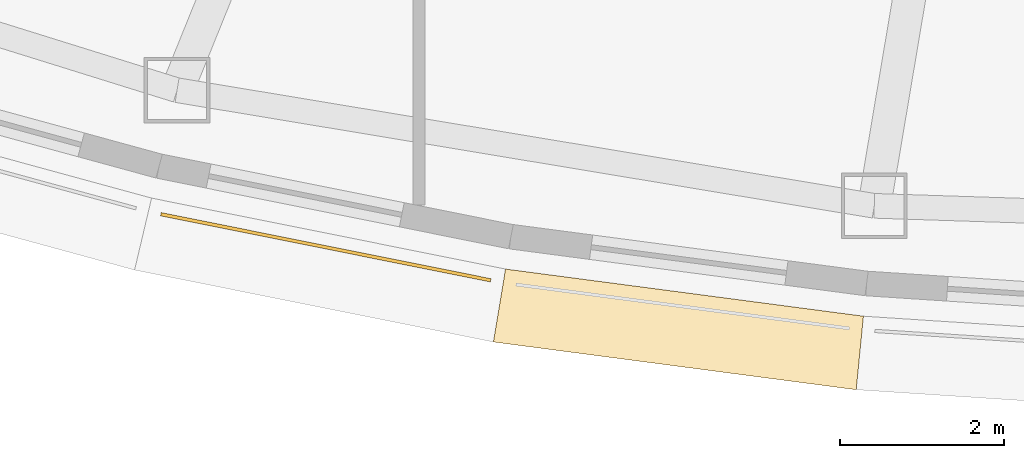
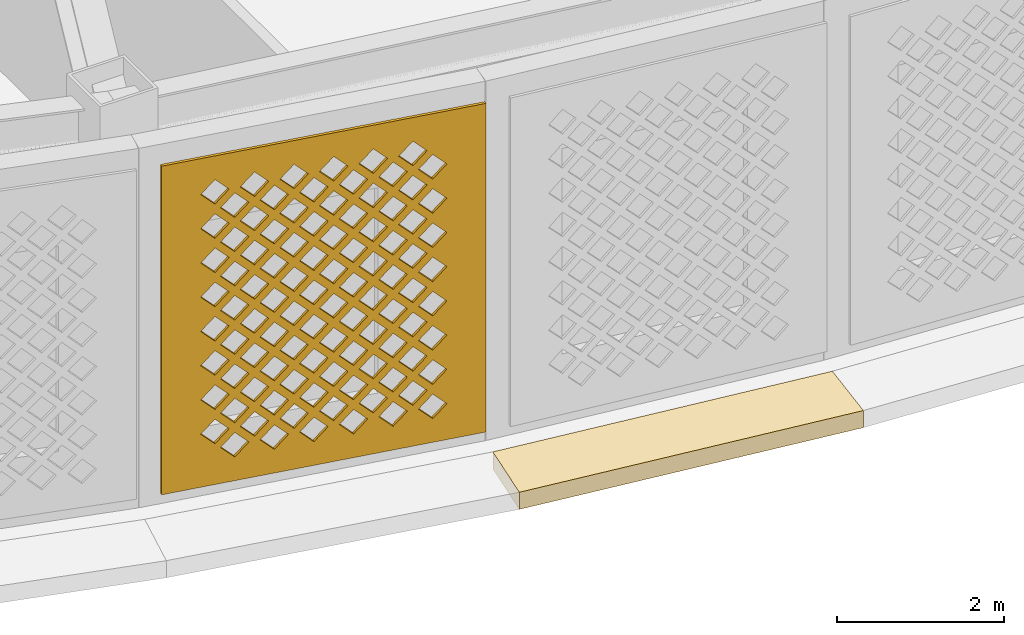
# One storey, part 49 of 69: 2 coverings.
"""IFC4 building model written with IfcOpenShell, lengths in metres."""

from ifc_helpers import new_model, si_unit, direction, frame, origin, place, context, subcontext, project, spatial, polyline, outline, extrude, material, layer, layer_set, type_object, element, save


model = new_model("IFC4")

# Units and contexts
model_context = context("Model", 3, precision=1e-05, world=origin(), true_north=direction((0.0, 1.0)))
body_context = subcontext(model_context, "Body", "Model", "MODEL_VIEW")
ifc_project = project(units=[si_unit("LENGTHUNIT", "METRE"), si_unit("AREAUNIT", "SQUARE_METRE"), si_unit("VOLUMEUNIT", "CUBIC_METRE"), si_unit("PLANEANGLEUNIT", "RADIAN"), si_unit("MASSUNIT", "GRAM", prefix="KILO")], contexts=[model_context])

# Site, building, storey
site_placement = place(None, origin())
site = spatial("IfcSite", under=ifc_project, at=site_placement, CompositionType="ELEMENT")
building_placement = place(site_placement, origin())
building = spatial("IfcBuilding", under=site, at=building_placement, Name="Noorbagh Ring Tower", CompositionType="ELEMENT")
storey_placement = place(building_placement, frame((0.0, 0.0, 19.5)))
storey = spatial("IfcBuildingStorey", under=building, at=storey_placement, Name="L03", CompositionType="ELEMENT", Elevation=19.5)

# Coverings
ifc_material_1 = material(Name="Red sandstone eave", Category="masonry")
covering_type_1 = type_object("IfcCoveringType", Name="STY-CHHAJJA", PredefinedType="USERDEFINED", material=ifc_material_1)
covering_1_placement = place(storey_placement, frame((0.0, 0.0, -0.25)))
element("IfcCovering", 1, at=covering_1_placement, inside=storey, type_object=covering_type_1, Name="Chhajja eave", ObjectType="CHHAJJA", PredefinedType="USERDEFINED", context=body_context, shape_type="SweptSolid", body=[
    extrude(outline(polyline([(-10.945556640625, -39.103759765625), (-6.586181640625, -39.677978515625), (-6.67431640625, -40.573974609375), (-11.093017578125, -39.9921875), (-10.945556640625, -39.103759765625)])), origin(), (0.0, 0.0, 1.0), 0.25),
])
ifc_material_2 = material(Name="Red sandstone jali", Category="masonry")
ifc_layer = layer(ifc_material_2, 0.0400390625)
ifc_layer_set = layer_set([ifc_layer], Name="Red sandstone jali")
covering_type_2 = type_object("IfcCoveringType", Name="STY-JALI", PredefinedType="USERDEFINED", material=ifc_layer_set)
covering_2_placement = place(storey_placement, frame((-15.147216796875, -38.455322265625, 0.449951171875), z_axis=(-0.196528665711, -0.980498079322, 0.0), x_axis=(0.980498079322, -0.196528665711, 0.0)))
element("IfcCovering", 2, at=covering_2_placement, inside=storey, type_object=covering_type_2, Name="Jali screen", ObjectType="SCREEN", PredefinedType="USERDEFINED", context=body_context, shape_type="SweptSolid", body=[
    extrude(outline(polyline([(0.0, 0.0), (4.096923828125, 0.0), (4.096923828125, 4.800048828125), (0.0, 4.800048828125), (0.0, 0.0)]), holes=[polyline([(0.743408203125, 0.52490234375), (0.923583984375, 0.344970703125), (1.103515625, 0.52490234375), (0.923583984375, 0.705078125), (0.743408203125, 0.52490234375)]), polyline([(1.243408203125, 0.52490234375), (1.423583984375, 0.344970703125), (1.603515625, 0.52490234375), (1.423583984375, 0.705078125), (1.243408203125, 0.52490234375)]), polyline([(1.743408203125, 0.52490234375), (1.923583984375, 0.344970703125), (2.103515625, 0.52490234375), (1.923583984375, 0.705078125), (1.743408203125, 0.52490234375)]), polyline([(2.243408203125, 0.52490234375), (2.423583984375, 0.344970703125), (2.603515625, 0.52490234375), (2.423583984375, 0.705078125), (2.243408203125, 0.52490234375)]), polyline([(2.743408203125, 0.52490234375), (2.923583984375, 0.344970703125), (3.103515625, 0.52490234375), (2.923583984375, 0.705078125), (2.743408203125, 0.52490234375)]), polyline([(3.243408203125, 0.52490234375), (3.423583984375, 0.344970703125), (3.603515625, 0.52490234375), (3.423583984375, 0.705078125), (3.243408203125, 0.52490234375)]), polyline([(0.493408203125, 0.77490234375), (0.673583984375, 0.594970703125), (0.853515625, 0.77490234375), (0.673583984375, 0.955078125), (0.493408203125, 0.77490234375)]), polyline([(0.993408203125, 0.77490234375), (1.173583984375, 0.594970703125), (1.353515625, 0.77490234375), (1.173583984375, 0.955078125), (0.993408203125, 0.77490234375)]), polyline([(1.493408203125, 0.77490234375), (1.673583984375, 0.594970703125), (1.853515625, 0.77490234375), (1.673583984375, 0.955078125), (1.493408203125, 0.77490234375)]), polyline([(1.993408203125, 0.77490234375), (2.173583984375, 0.594970703125), (2.353515625, 0.77490234375), (2.173583984375, 0.955078125), (1.993408203125, 0.77490234375)]), polyline([(2.493408203125, 0.77490234375), (2.673583984375, 0.594970703125), (2.853515625, 0.77490234375), (2.673583984375, 0.955078125), (2.493408203125, 0.77490234375)]), polyline([(2.993408203125, 0.77490234375), (3.173583984375, 0.594970703125), (3.353515625, 0.77490234375), (3.173583984375, 0.955078125), (2.993408203125, 0.77490234375)]), polyline([(0.743408203125, 1.02490234375), (0.923583984375, 0.844970703125), (1.103515625, 1.02490234375), (0.923583984375, 1.205078125), (0.743408203125, 1.02490234375)]), polyline([(1.243408203125, 1.02490234375), (1.423583984375, 0.844970703125), (1.603515625, 1.02490234375), (1.423583984375, 1.205078125), (1.243408203125, 1.02490234375)]), polyline([(1.743408203125, 1.02490234375), (1.923583984375, 0.844970703125), (2.103515625, 1.02490234375), (1.923583984375, 1.205078125), (1.743408203125, 1.02490234375)]), polyline([(2.243408203125, 1.02490234375), (2.423583984375, 0.844970703125), (2.603515625, 1.02490234375), (2.423583984375, 1.205078125), (2.243408203125, 1.02490234375)]), polyline([(2.743408203125, 1.02490234375), (2.923583984375, 0.844970703125), (3.103515625, 1.02490234375), (2.923583984375, 1.205078125), (2.743408203125, 1.02490234375)]), polyline([(3.243408203125, 1.02490234375), (3.423583984375, 0.844970703125), (3.603515625, 1.02490234375), (3.423583984375, 1.205078125), (3.243408203125, 1.02490234375)]), polyline([(0.493408203125, 1.27490234375), (0.673583984375, 1.094970703125), (0.853515625, 1.27490234375), (0.673583984375, 1.455078125), (0.493408203125, 1.27490234375)]), polyline([(0.993408203125, 1.27490234375), (1.173583984375, 1.094970703125), (1.353515625, 1.27490234375), (1.173583984375, 1.455078125), (0.993408203125, 1.27490234375)]), polyline([(1.493408203125, 1.27490234375), (1.673583984375, 1.094970703125), (1.853515625, 1.27490234375), (1.673583984375, 1.455078125), (1.493408203125, 1.27490234375)]), polyline([(1.993408203125, 1.27490234375), (2.173583984375, 1.094970703125), (2.353515625, 1.27490234375), (2.173583984375, 1.455078125), (1.993408203125, 1.27490234375)]), polyline([(2.493408203125, 1.27490234375), (2.673583984375, 1.094970703125), (2.853515625, 1.27490234375), (2.673583984375, 1.455078125), (2.493408203125, 1.27490234375)]), polyline([(2.993408203125, 1.27490234375), (3.173583984375, 1.094970703125), (3.353515625, 1.27490234375), (3.173583984375, 1.455078125), (2.993408203125, 1.27490234375)]), polyline([(0.743408203125, 1.52490234375), (0.923583984375, 1.344970703125), (1.103515625, 1.52490234375), (0.923583984375, 1.705078125), (0.743408203125, 1.52490234375)]), polyline([(1.243408203125, 1.52490234375), (1.423583984375, 1.344970703125), (1.603515625, 1.52490234375), (1.423583984375, 1.705078125), (1.243408203125, 1.52490234375)]), polyline([(1.743408203125, 1.52490234375), (1.923583984375, 1.344970703125), (2.103515625, 1.52490234375), (1.923583984375, 1.705078125), (1.743408203125, 1.52490234375)]), polyline([(2.243408203125, 1.52490234375), (2.423583984375, 1.344970703125), (2.603515625, 1.52490234375), (2.423583984375, 1.705078125), (2.243408203125, 1.52490234375)]), polyline([(2.743408203125, 1.52490234375), (2.923583984375, 1.344970703125), (3.103515625, 1.52490234375), (2.923583984375, 1.705078125), (2.743408203125, 1.52490234375)]), polyline([(3.243408203125, 1.52490234375), (3.423583984375, 1.344970703125), (3.603515625, 1.52490234375), (3.423583984375, 1.705078125), (3.243408203125, 1.52490234375)]), polyline([(0.493408203125, 1.77490234375), (0.673583984375, 1.594970703125), (0.853515625, 1.77490234375), (0.673583984375, 1.955078125), (0.493408203125, 1.77490234375)]), polyline([(0.993408203125, 1.77490234375), (1.173583984375, 1.594970703125), (1.353515625, 1.77490234375), (1.173583984375, 1.955078125), (0.993408203125, 1.77490234375)]), polyline([(1.493408203125, 1.77490234375), (1.673583984375, 1.594970703125), (1.853515625, 1.77490234375), (1.673583984375, 1.955078125), (1.493408203125, 1.77490234375)]), polyline([(1.993408203125, 1.77490234375), (2.173583984375, 1.594970703125), (2.353515625, 1.77490234375), (2.173583984375, 1.955078125), (1.993408203125, 1.77490234375)]), polyline([(2.493408203125, 1.77490234375), (2.673583984375, 1.594970703125), (2.853515625, 1.77490234375), (2.673583984375, 1.955078125), (2.493408203125, 1.77490234375)]), polyline([(2.993408203125, 1.77490234375), (3.173583984375, 1.594970703125), (3.353515625, 1.77490234375), (3.173583984375, 1.955078125), (2.993408203125, 1.77490234375)]), polyline([(0.743408203125, 2.02490234375), (0.923583984375, 1.844970703125), (1.103515625, 2.02490234375), (0.923583984375, 2.205078125), (0.743408203125, 2.02490234375)]), polyline([(1.243408203125, 2.02490234375), (1.423583984375, 1.844970703125), (1.603515625, 2.02490234375), (1.423583984375, 2.205078125), (1.243408203125, 2.02490234375)]), polyline([(1.743408203125, 2.02490234375), (1.923583984375, 1.844970703125), (2.103515625, 2.02490234375), (1.923583984375, 2.205078125), (1.743408203125, 2.02490234375)]), polyline([(2.243408203125, 2.02490234375), (2.423583984375, 1.844970703125), (2.603515625, 2.02490234375), (2.423583984375, 2.205078125), (2.243408203125, 2.02490234375)]), polyline([(2.743408203125, 2.02490234375), (2.923583984375, 1.844970703125), (3.103515625, 2.02490234375), (2.923583984375, 2.205078125), (2.743408203125, 2.02490234375)]), polyline([(3.243408203125, 2.02490234375), (3.423583984375, 1.844970703125), (3.603515625, 2.02490234375), (3.423583984375, 2.205078125), (3.243408203125, 2.02490234375)]), polyline([(0.493408203125, 2.27490234375), (0.673583984375, 2.094970703125), (0.853515625, 2.27490234375), (0.673583984375, 2.455078125), (0.493408203125, 2.27490234375)]), polyline([(0.993408203125, 2.27490234375), (1.173583984375, 2.094970703125), (1.353515625, 2.27490234375), (1.173583984375, 2.455078125), (0.993408203125, 2.27490234375)]), polyline([(1.493408203125, 2.27490234375), (1.673583984375, 2.094970703125), (1.853515625, 2.27490234375), (1.673583984375, 2.455078125), (1.493408203125, 2.27490234375)]), polyline([(1.993408203125, 2.27490234375), (2.173583984375, 2.094970703125), (2.353515625, 2.27490234375), (2.173583984375, 2.455078125), (1.993408203125, 2.27490234375)]), polyline([(2.493408203125, 2.27490234375), (2.673583984375, 2.094970703125), (2.853515625, 2.27490234375), (2.673583984375, 2.455078125), (2.493408203125, 2.27490234375)]), polyline([(2.993408203125, 2.27490234375), (3.173583984375, 2.094970703125), (3.353515625, 2.27490234375), (3.173583984375, 2.455078125), (2.993408203125, 2.27490234375)]), polyline([(0.743408203125, 2.52490234375), (0.923583984375, 2.344970703125), (1.103515625, 2.52490234375), (0.923583984375, 2.705078125), (0.743408203125, 2.52490234375)]), polyline([(1.243408203125, 2.52490234375), (1.423583984375, 2.344970703125), (1.603515625, 2.52490234375), (1.423583984375, 2.705078125), (1.243408203125, 2.52490234375)]), polyline([(1.743408203125, 2.52490234375), (1.923583984375, 2.344970703125), (2.103515625, 2.52490234375), (1.923583984375, 2.705078125), (1.743408203125, 2.52490234375)]), polyline([(2.243408203125, 2.52490234375), (2.423583984375, 2.344970703125), (2.603515625, 2.52490234375), (2.423583984375, 2.705078125), (2.243408203125, 2.52490234375)]), polyline([(2.743408203125, 2.52490234375), (2.923583984375, 2.344970703125), (3.103515625, 2.52490234375), (2.923583984375, 2.705078125), (2.743408203125, 2.52490234375)]), polyline([(3.243408203125, 2.52490234375), (3.423583984375, 2.344970703125), (3.603515625, 2.52490234375), (3.423583984375, 2.705078125), (3.243408203125, 2.52490234375)]), polyline([(0.493408203125, 2.77490234375), (0.673583984375, 2.594970703125), (0.853515625, 2.77490234375), (0.673583984375, 2.955078125), (0.493408203125, 2.77490234375)]), polyline([(0.993408203125, 2.77490234375), (1.173583984375, 2.594970703125), (1.353515625, 2.77490234375), (1.173583984375, 2.955078125), (0.993408203125, 2.77490234375)]), polyline([(1.493408203125, 2.77490234375), (1.673583984375, 2.594970703125), (1.853515625, 2.77490234375), (1.673583984375, 2.955078125), (1.493408203125, 2.77490234375)]), polyline([(1.993408203125, 2.77490234375), (2.173583984375, 2.594970703125), (2.353515625, 2.77490234375), (2.173583984375, 2.955078125), (1.993408203125, 2.77490234375)]), polyline([(2.493408203125, 2.77490234375), (2.673583984375, 2.594970703125), (2.853515625, 2.77490234375), (2.673583984375, 2.955078125), (2.493408203125, 2.77490234375)]), polyline([(2.993408203125, 2.77490234375), (3.173583984375, 2.594970703125), (3.353515625, 2.77490234375), (3.173583984375, 2.955078125), (2.993408203125, 2.77490234375)]), polyline([(0.743408203125, 3.02490234375), (0.923583984375, 2.844970703125), (1.103515625, 3.02490234375), (0.923583984375, 3.205078125), (0.743408203125, 3.02490234375)]), polyline([(1.243408203125, 3.02490234375), (1.423583984375, 2.844970703125), (1.603515625, 3.02490234375), (1.423583984375, 3.205078125), (1.243408203125, 3.02490234375)]), polyline([(1.743408203125, 3.02490234375), (1.923583984375, 2.844970703125), (2.103515625, 3.02490234375), (1.923583984375, 3.205078125), (1.743408203125, 3.02490234375)]), polyline([(2.243408203125, 3.02490234375), (2.423583984375, 2.844970703125), (2.603515625, 3.02490234375), (2.423583984375, 3.205078125), (2.243408203125, 3.02490234375)]), polyline([(2.743408203125, 3.02490234375), (2.923583984375, 2.844970703125), (3.103515625, 3.02490234375), (2.923583984375, 3.205078125), (2.743408203125, 3.02490234375)]), polyline([(3.243408203125, 3.02490234375), (3.423583984375, 2.844970703125), (3.603515625, 3.02490234375), (3.423583984375, 3.205078125), (3.243408203125, 3.02490234375)]), polyline([(0.493408203125, 3.27490234375), (0.673583984375, 3.094970703125), (0.853515625, 3.27490234375), (0.673583984375, 3.455078125), (0.493408203125, 3.27490234375)]), polyline([(0.993408203125, 3.27490234375), (1.173583984375, 3.094970703125), (1.353515625, 3.27490234375), (1.173583984375, 3.455078125), (0.993408203125, 3.27490234375)]), polyline([(1.493408203125, 3.27490234375), (1.673583984375, 3.094970703125), (1.853515625, 3.27490234375), (1.673583984375, 3.455078125), (1.493408203125, 3.27490234375)]), polyline([(1.993408203125, 3.27490234375), (2.173583984375, 3.094970703125), (2.353515625, 3.27490234375), (2.173583984375, 3.455078125), (1.993408203125, 3.27490234375)]), polyline([(2.493408203125, 3.27490234375), (2.673583984375, 3.094970703125), (2.853515625, 3.27490234375), (2.673583984375, 3.455078125), (2.493408203125, 3.27490234375)]), polyline([(2.993408203125, 3.27490234375), (3.173583984375, 3.094970703125), (3.353515625, 3.27490234375), (3.173583984375, 3.455078125), (2.993408203125, 3.27490234375)]), polyline([(0.743408203125, 3.52490234375), (0.923583984375, 3.344970703125), (1.103515625, 3.52490234375), (0.923583984375, 3.705078125), (0.743408203125, 3.52490234375)]), polyline([(1.243408203125, 3.52490234375), (1.423583984375, 3.344970703125), (1.603515625, 3.52490234375), (1.423583984375, 3.705078125), (1.243408203125, 3.52490234375)]), polyline([(1.743408203125, 3.52490234375), (1.923583984375, 3.344970703125), (2.103515625, 3.52490234375), (1.923583984375, 3.705078125), (1.743408203125, 3.52490234375)]), polyline([(2.243408203125, 3.52490234375), (2.423583984375, 3.344970703125), (2.603515625, 3.52490234375), (2.423583984375, 3.705078125), (2.243408203125, 3.52490234375)]), polyline([(2.743408203125, 3.52490234375), (2.923583984375, 3.344970703125), (3.103515625, 3.52490234375), (2.923583984375, 3.705078125), (2.743408203125, 3.52490234375)]), polyline([(3.243408203125, 3.52490234375), (3.423583984375, 3.344970703125), (3.603515625, 3.52490234375), (3.423583984375, 3.705078125), (3.243408203125, 3.52490234375)]), polyline([(0.493408203125, 3.77490234375), (0.673583984375, 3.594970703125), (0.853515625, 3.77490234375), (0.673583984375, 3.955078125), (0.493408203125, 3.77490234375)]), polyline([(0.993408203125, 3.77490234375), (1.173583984375, 3.594970703125), (1.353515625, 3.77490234375), (1.173583984375, 3.955078125), (0.993408203125, 3.77490234375)]), polyline([(1.493408203125, 3.77490234375), (1.673583984375, 3.594970703125), (1.853515625, 3.77490234375), (1.673583984375, 3.955078125), (1.493408203125, 3.77490234375)]), polyline([(1.993408203125, 3.77490234375), (2.173583984375, 3.594970703125), (2.353515625, 3.77490234375), (2.173583984375, 3.955078125), (1.993408203125, 3.77490234375)]), polyline([(2.493408203125, 3.77490234375), (2.673583984375, 3.594970703125), (2.853515625, 3.77490234375), (2.673583984375, 3.955078125), (2.493408203125, 3.77490234375)]), polyline([(2.993408203125, 3.77490234375), (3.173583984375, 3.594970703125), (3.353515625, 3.77490234375), (3.173583984375, 3.955078125), (2.993408203125, 3.77490234375)]), polyline([(0.743408203125, 4.02490234375), (0.923583984375, 3.844970703125), (1.103515625, 4.02490234375), (0.923583984375, 4.205078125), (0.743408203125, 4.02490234375)]), polyline([(1.243408203125, 4.02490234375), (1.423583984375, 3.844970703125), (1.603515625, 4.02490234375), (1.423583984375, 4.205078125), (1.243408203125, 4.02490234375)]), polyline([(1.743408203125, 4.02490234375), (1.923583984375, 3.844970703125), (2.103515625, 4.02490234375), (1.923583984375, 4.205078125), (1.743408203125, 4.02490234375)]), polyline([(2.243408203125, 4.02490234375), (2.423583984375, 3.844970703125), (2.603515625, 4.02490234375), (2.423583984375, 4.205078125), (2.243408203125, 4.02490234375)]), polyline([(2.743408203125, 4.02490234375), (2.923583984375, 3.844970703125), (3.103515625, 4.02490234375), (2.923583984375, 4.205078125), (2.743408203125, 4.02490234375)]), polyline([(3.243408203125, 4.02490234375), (3.423583984375, 3.844970703125), (3.603515625, 4.02490234375), (3.423583984375, 4.205078125), (3.243408203125, 4.02490234375)]), polyline([(0.493408203125, 4.27490234375), (0.673583984375, 4.094970703125), (0.853515625, 4.27490234375), (0.673583984375, 4.455078125), (0.493408203125, 4.27490234375)]), polyline([(0.993408203125, 4.27490234375), (1.173583984375, 4.094970703125), (1.353515625, 4.27490234375), (1.173583984375, 4.455078125), (0.993408203125, 4.27490234375)]), polyline([(1.493408203125, 4.27490234375), (1.673583984375, 4.094970703125), (1.853515625, 4.27490234375), (1.673583984375, 4.455078125), (1.493408203125, 4.27490234375)]), polyline([(1.993408203125, 4.27490234375), (2.173583984375, 4.094970703125), (2.353515625, 4.27490234375), (2.173583984375, 4.455078125), (1.993408203125, 4.27490234375)]), polyline([(2.493408203125, 4.27490234375), (2.673583984375, 4.094970703125), (2.853515625, 4.27490234375), (2.673583984375, 4.455078125), (2.493408203125, 4.27490234375)]), polyline([(2.993408203125, 4.27490234375), (3.173583984375, 4.094970703125), (3.353515625, 4.27490234375), (3.173583984375, 4.455078125), (2.993408203125, 4.27490234375)])]), origin(), (0.0, 0.0, -1.0), 0.0400390625),
])

save(model, "model.ifc")
